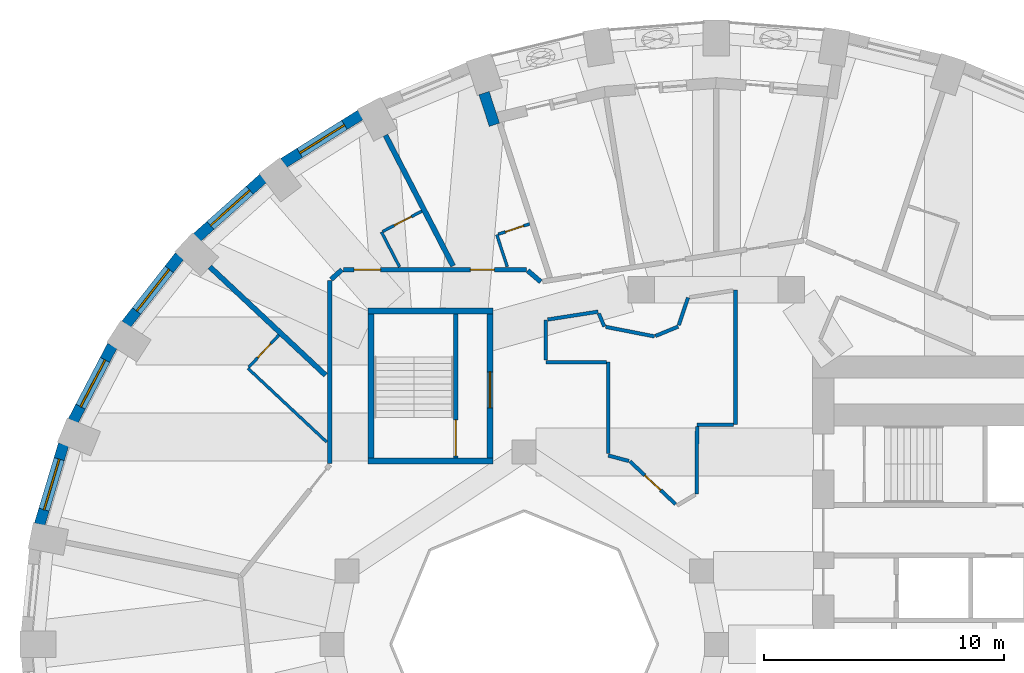
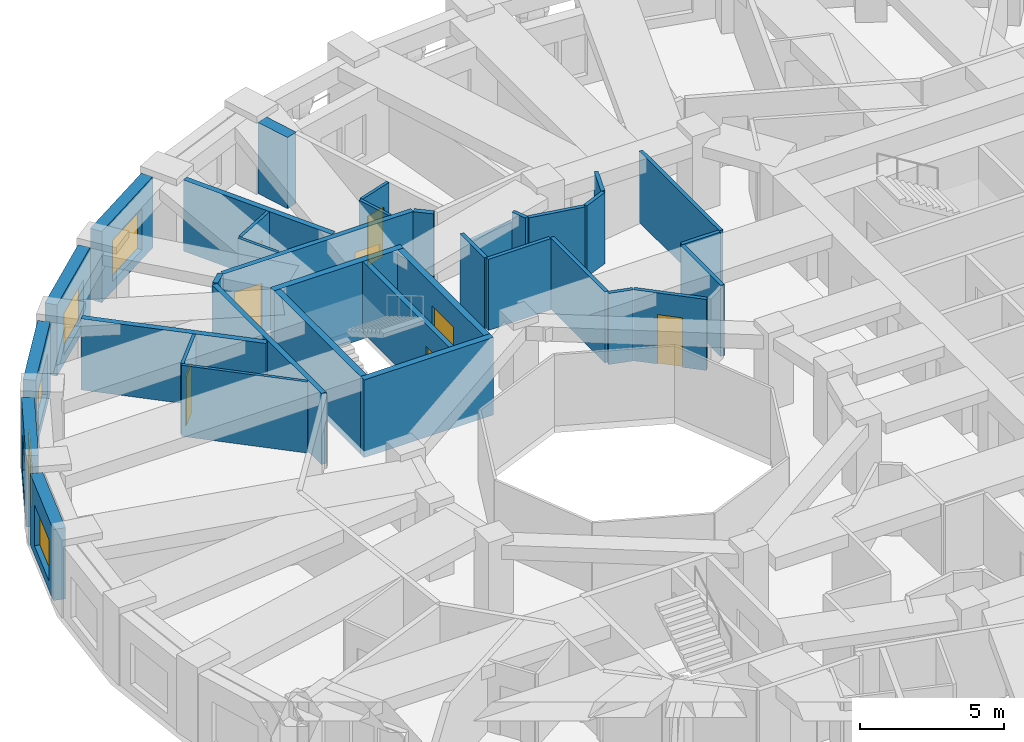
# One storey, part 7 of 13: 36 walls, 8 doors, 5 windows, 13 openings.
"""IFC4 building model written with IfcOpenShell, lengths in metres."""

from ifc_helpers import new_model, si_unit, direction, frame, frame_2d, origin, place, context, subcontext, project, spatial, rectangle, extrude, material, layer, layer_set, type_object, element, fill, save


model = new_model("IFC4")

# Units and contexts
model_context = context("Model", 3, precision=1e-05, world=origin(), true_north=direction((0.0, 1.0)))
body_context = subcontext(model_context, "Body", "Model", "MODEL_VIEW")
ifc_project = project(units=[si_unit("LENGTHUNIT", "METRE"), si_unit("AREAUNIT", "SQUARE_METRE"), si_unit("VOLUMEUNIT", "CUBIC_METRE"), si_unit("PLANEANGLEUNIT", "RADIAN"), si_unit("MASSUNIT", "GRAM", prefix="KILO")], contexts=[model_context])

# Site, building, storey
site_placement = place(None, origin())
site = spatial("IfcSite", under=ifc_project, at=site_placement, CompositionType="ELEMENT")
building_placement = place(site_placement, origin())
building = spatial("IfcBuilding", under=site, at=building_placement, Name="Taillehof Tower", CompositionType="ELEMENT")
storey_placement = place(building_placement, frame((0.0, 0.0, 51.39990234375)))
storey = spatial("IfcBuildingStorey", under=building, at=storey_placement, Name="L13", CompositionType="ELEMENT", Elevation=51.39990234375)

# Wall, opening, window
ifc_material_1 = material(Name="Brick masonry", Category="masonry")
ifc_layer_1 = layer(ifc_material_1, 0.449951171875)
ifc_layer_set_1 = layer_set([ifc_layer_1], Name="Brick infill wall 450")
wall_type_1 = type_object("IfcWallType", Name="Brick infill wall 450", PredefinedType="SOLIDWALL", material=ifc_layer_set_1)
wall_1_placement = place(storey_placement, frame((-14.81689453125, 22.050537109375, 0.0), z_axis=(0.0, 0.0, 1.0), x_axis=(-0.847635480093, -0.530579016629, 0.0)))
wall_1 = element("IfcWall", 1, at=wall_1_placement, inside=storey, type_object=wall_type_1, Name="Brick wall L13 bay 13", PredefinedType="SOLIDWALL", context=body_context, shape_type="SweptSolid", body=[
    extrude(rectangle(XDim=3.782470703125, YDim=0.449951171875, at=frame_2d((1.89111328125, 0.0))), origin(), (0.0, 0.0, 1.0), 3.02001953125),
])
opening_1_placement = place(wall_1_placement, frame((0.791259765625, 0.0, 0.39990234375)))
opening_1 = element("IfcOpeningElement", 2, at=opening_1_placement, cuts=wall_1, Name="Opening W1", PredefinedType="OPENING", context=body_context, shape_type="SweptSolid", body=[
    extrude(rectangle(XDim=2.199951171875, YDim=1.75, at=frame_2d((1.10009765625, 0.875))), frame((0.0, 0.23486328125, 0.0), z_axis=(0.0, -1.0, 0.0), x_axis=(1.0, 0.0, 0.0)), (0.0, 0.0, 1.0), 0.469970703125),
])
ifc_material_2 = material(Name="Aluminium window frame with clear double glazing", Category="aluminium")
window_type = type_object("IfcWindowType", Name="Deep-set window 2200x1750", PartitioningType="SINGLE_PANEL", PredefinedType="WINDOW", material=ifc_material_2)
window_1_placement = place(opening_1_placement, origin())
window_1 = element("IfcWindow", 3, at=window_1_placement, inside=storey, type_object=window_type, Name="W1", OverallHeight=1.75, OverallWidth=2.199951171875, PartitioningType="SINGLE_PANEL", PredefinedType="WINDOW", context=body_context, shape_type="SweptSolid", body=[
    extrude(rectangle(XDim=2.199951171875, YDim=1.75, at=frame_2d((1.10009765625, 0.875))), frame((0.0, 0.034912109375, 0.0), z_axis=(0.0, -1.0, 0.0), x_axis=(1.0, 0.0, 0.0)), (0.0, 0.0, 1.0), 0.06005859375),
])
fill(opening_1, window_1)

wall_2_placement = place(storey_placement, frame((-18.87060546875, 19.406982421875, 0.0), z_axis=(0.0, 0.0, 1.0), x_axis=(-0.745526233716, -0.66647628228, 0.0)))
wall_2 = element("IfcWall", 4, at=wall_2_placement, inside=storey, type_object=wall_type_1, Name="Brick wall L13 bay 14", PredefinedType="SOLIDWALL", context=body_context, shape_type="SweptSolid", body=[
    extrude(rectangle(XDim=3.69677734375, YDim=0.449951171875, at=frame_2d((1.848388671875, 0.0))), origin(), (0.0, 0.0, 1.0), 3.02001953125),
])
opening_2_placement = place(wall_2_placement, frame((0.74853515625, 0.0, 0.39990234375)))
opening_2 = element("IfcOpeningElement", 5, at=opening_2_placement, cuts=wall_2, Name="Opening W1", PredefinedType="OPENING", context=body_context, shape_type="SweptSolid", body=[
    extrude(rectangle(XDim=2.199951171875, YDim=1.75, at=frame_2d((1.10009765625, 0.875))), frame((0.0, 0.23486328125, 0.0), z_axis=(0.0, -1.0, 0.0), x_axis=(1.0, 0.0, 0.0)), (0.0, 0.0, 1.0), 0.469970703125),
])
window_2_placement = place(opening_2_placement, origin())
window_2 = element("IfcWindow", 6, at=window_2_placement, inside=storey, type_object=window_type, Name="W1", OverallHeight=1.75, OverallWidth=2.199951171875, PartitioningType="SINGLE_PANEL", PredefinedType="WINDOW", context=body_context, shape_type="SweptSolid", body=[
    extrude(rectangle(XDim=2.199951171875, YDim=1.75, at=frame_2d((1.10009765625, 0.875))), frame((0.0, 0.034912109375, 0.0), z_axis=(0.0, -1.0, 0.0), x_axis=(1.0, 0.0, 0.0)), (0.0, 0.0, 1.0), 0.06005859375),
])
fill(opening_2, window_2)

wall_3_placement = place(storey_placement, frame((-22.3515625, 16.169677734375, 0.0), z_axis=(0.0, 0.0, 1.0), x_axis=(-0.616661975264, -0.787228053529, 0.0)))
wall_3 = element("IfcWall", 7, at=wall_3_placement, inside=storey, type_object=wall_type_1, Name="Brick wall L13 bay 15", PredefinedType="SOLIDWALL", context=body_context, shape_type="SweptSolid", body=[
    extrude(rectangle(XDim=3.60986328125, YDim=0.449951171875, at=frame_2d((1.804931640625, 0.0))), origin(), (0.0, 0.0, 1.0), 3.02001953125),
])
opening_3_placement = place(wall_3_placement, frame((0.704833984375, 0.0, 0.39990234375)))
opening_3 = element("IfcOpeningElement", 8, at=opening_3_placement, cuts=wall_3, Name="Opening W1", PredefinedType="OPENING", context=body_context, shape_type="SweptSolid", body=[
    extrude(rectangle(XDim=2.199951171875, YDim=1.75, at=frame_2d((1.10009765625, 0.875))), frame((0.0, 0.23486328125, 0.0), z_axis=(0.0, -1.0, 0.0), x_axis=(1.0, 0.0, 0.0)), (0.0, 0.0, 1.0), 0.469970703125),
])
window_3_placement = place(opening_3_placement, origin())
window_3 = element("IfcWindow", 9, at=window_3_placement, inside=storey, type_object=window_type, Name="W1", OverallHeight=1.75, OverallWidth=2.199951171875, PartitioningType="SINGLE_PANEL", PredefinedType="WINDOW", context=body_context, shape_type="SweptSolid", body=[
    extrude(rectangle(XDim=2.199951171875, YDim=1.75, at=frame_2d((1.10009765625, 0.875))), frame((0.0, 0.034912109375, 0.0), z_axis=(0.0, -1.0, 0.0), x_axis=(1.0, 0.0, 0.0)), (0.0, 0.0, 1.0), 0.06005859375),
])
fill(opening_3, window_3)

wall_4_placement = place(storey_placement, frame((-25.152099609375, 12.436767578125, 0.0), z_axis=(0.0, 0.0, 1.0), x_axis=(-0.462492775226, -0.886623050041, 0.0)))
wall_4 = element("IfcWall", 10, at=wall_4_placement, inside=storey, type_object=wall_type_1, Name="Brick wall L13 bay 16", PredefinedType="SOLIDWALL", context=body_context, shape_type="SweptSolid", body=[
    extrude(rectangle(XDim=3.531982421875, YDim=0.449951171875, at=frame_2d((1.76611328125, 0.0))), origin(), (0.0, 0.0, 1.0), 3.02001953125),
])
opening_4_placement = place(wall_4_placement, frame((0.666015625, 0.0, 0.39990234375)))
opening_4 = element("IfcOpeningElement", 11, at=opening_4_placement, cuts=wall_4, Name="Opening W1", PredefinedType="OPENING", context=body_context, shape_type="SweptSolid", body=[
    extrude(rectangle(XDim=2.199951171875, YDim=1.75, at=frame_2d((1.10009765625, 0.875))), frame((0.0, 0.23486328125, 0.0), z_axis=(0.0, -1.0, 0.0), x_axis=(1.0, 0.0, 0.0)), (0.0, 0.0, 1.0), 0.469970703125),
])
window_4_placement = place(opening_4_placement, origin())
window_4 = element("IfcWindow", 12, at=window_4_placement, inside=storey, type_object=window_type, Name="W1", OverallHeight=1.75, OverallWidth=2.199951171875, PartitioningType="SINGLE_PANEL", PredefinedType="WINDOW", context=body_context, shape_type="SweptSolid", body=[
    extrude(rectangle(XDim=2.199951171875, YDim=1.75, at=frame_2d((1.10009765625, 0.875))), frame((0.0, 0.034912109375, 0.0), z_axis=(0.0, -1.0, 0.0), x_axis=(1.0, 0.0, 0.0)), (0.0, 0.0, 1.0), 0.06005859375),
])
fill(opening_4, window_4)

wall_5_placement = place(storey_placement, frame((-27.184814453125, 8.322998046875, 0.0), z_axis=(0.0, 0.0, 1.0), x_axis=(-0.287064133733, -0.957911364963, 0.0)))
wall_5 = element("IfcWall", 13, at=wall_5_placement, inside=storey, type_object=wall_type_1, Name="Brick wall L13 bay 17", PredefinedType="SOLIDWALL", context=body_context, shape_type="SweptSolid", body=[
    extrude(rectangle(XDim=3.473388671875, YDim=0.449951171875, at=frame_2d((1.73681640625, 0.0))), origin(), (0.0, 0.0, 1.0), 3.02001953125),
])
opening_5_placement = place(wall_5_placement, frame((0.63671875, 0.0, 0.39990234375)))
opening_5 = element("IfcOpeningElement", 14, at=opening_5_placement, cuts=wall_5, Name="Opening W1", PredefinedType="OPENING", context=body_context, shape_type="SweptSolid", body=[
    extrude(rectangle(XDim=2.199951171875, YDim=1.75, at=frame_2d((1.10009765625, 0.875))), frame((0.0, 0.23486328125, 0.0), z_axis=(0.0, -1.0, 0.0), x_axis=(1.0, 0.0, 0.0)), (0.0, 0.0, 1.0), 0.469970703125),
])
window_5_placement = place(opening_5_placement, origin())
window_5 = element("IfcWindow", 15, at=window_5_placement, inside=storey, type_object=window_type, Name="W1", OverallHeight=1.75, OverallWidth=2.199951171875, PartitioningType="SINGLE_PANEL", PredefinedType="WINDOW", context=body_context, shape_type="SweptSolid", body=[
    extrude(rectangle(XDim=2.199951171875, YDim=1.75, at=frame_2d((1.10009765625, 0.875))), frame((0.0, 0.034912109375, 0.0), z_axis=(0.0, -1.0, 0.0), x_axis=(1.0, 0.0, 0.0)), (0.0, 0.0, 1.0), 0.06005859375),
])
fill(opening_5, window_5)

# Walls
wall_6_placement = place(storey_placement, frame((-9.673583984375, 22.95556640625, 0.0), z_axis=(0.0, 0.0, 1.0), x_axis=(0.310269011655, -0.950648799719, 0.0)))
element("IfcWall", 16, at=wall_6_placement, inside=storey, type_object=wall_type_1, Name="Brick reveal L13 pocket 2", PredefinedType="SOLIDWALL", context=body_context, shape_type="SweptSolid", body=[
    extrude(rectangle(XDim=1.390380859375, YDim=0.449951171875, at=frame_2d((0.6953125, 0.0))), origin(), (0.0, 0.0, 1.0), 3.02001953125),
])
ifc_material_3 = material(Name="Gypsum board on steel studs, two layers each side", Category="steel")
ifc_layer_2 = layer(ifc_material_3, 0.199951171875)
ifc_layer_set_2 = layer_set([ifc_layer_2], Name="Compartment wall corridor 200")
wall_type_2 = type_object("IfcWallType", Name="Compartment wall corridor 200", PredefinedType="PARTITIONING", material=ifc_layer_set_2)
wall_7_placement = place(storey_placement, frame((-16.10009765625, 7.53271484375, 0.0), z_axis=(0.0, 0.0, 1.0), x_axis=(0.0, 1.0, 0.0)))
element("IfcWall", 17, at=wall_7_placement, inside=storey, type_object=wall_type_2, Name="Compartment wall", PredefinedType="PARTITIONING", context=body_context, shape_type="SweptSolid", body=[
    extrude(rectangle(XDim=7.611328125, YDim=0.199951171875, at=frame_2d((3.8056640625, 0.0))), origin(), (0.0, 0.0, 1.0), 3.02001953125),
])
wall_8_placement = place(storey_placement, frame((-16.04052734375, 15.19775390625, 0.0), z_axis=(0.0, 0.0, 1.0), x_axis=(0.744722115519, 0.667374685359, 0.0)))
element("IfcWall", 18, at=wall_8_placement, inside=storey, type_object=wall_type_2, Name="Compartment wall", PredefinedType="PARTITIONING", context=body_context, shape_type="SweptSolid", body=[
    extrude(rectangle(XDim=0.602783203125, YDim=0.199951171875, at=frame_2d((0.30126953125, 0.0))), origin(), (0.0, 0.0, 1.0), 3.02001953125),
])

# Wall, openings, doors
wall_9_placement = place(storey_placement, frame((-15.531494140625, 15.60009765625, 0.0), z_axis=(0.0, 0.0, 1.0), x_axis=(1.0, 0.0, 0.0)))
wall_9 = element("IfcWall", 19, at=wall_9_placement, inside=storey, type_object=wall_type_2, Name="Compartment wall", PredefinedType="PARTITIONING", context=body_context, shape_type="SweptSolid", body=[
    extrude(rectangle(XDim=7.631591796875, YDim=0.199951171875, at=frame_2d((3.81591796875, 0.0))), origin(), (0.0, 0.0, 1.0), 3.02001953125),
])
opening_6_placement = place(wall_9_placement, frame((5.283447265625, 0.0, 0.0)))
opening_6 = element("IfcOpeningElement", 20, at=opening_6_placement, cuts=wall_9, Name="Opening D1346", PredefinedType="OPENING", context=body_context, shape_type="SweptSolid", body=[
    extrude(rectangle(XDim=1.0, YDim=2.10009765625, at=frame_2d((0.5, 1.050048828125))), frame((0.0, 0.10986328125, 0.0), z_axis=(0.0, -1.0, 0.0), x_axis=(1.0, 0.0, 0.0)), (0.0, 0.0, 1.0), 0.219970703125),
])
opening_7_placement = place(wall_9_placement, frame((0.451416015625, 0.0, 0.0)))
opening_7 = element("IfcOpeningElement", 21, at=opening_7_placement, cuts=wall_9, Name="Opening D1348", PredefinedType="OPENING", context=body_context, shape_type="SweptSolid", body=[
    extrude(rectangle(XDim=1.10009765625, YDim=2.10009765625, at=frame_2d((0.550048828125, 1.050048828125))), frame((0.0, 0.10986328125, 0.0), z_axis=(0.0, -1.0, 0.0), x_axis=(1.0, 0.0, 0.0)), (0.0, 0.0, 1.0), 0.219970703125),
])
ifc_material_4 = material(Name="Timber door leaf in steel frame", Category="steel")
door_type_1 = type_object("IfcDoorType", Name="Guest room door EI 30 1000 x 2100", OperationType="SINGLE_SWING_LEFT", PredefinedType="DOOR", material=ifc_material_4)
door_1_placement = place(opening_6_placement, origin())
door_1 = element("IfcDoor", 22, at=door_1_placement, inside=storey, type_object=door_type_1, Name="D1346", OperationType="SINGLE_SWING_RIGHT", OverallHeight=2.10009765625, OverallWidth=1.0, PredefinedType="DOOR", context=body_context, shape_type="SweptSolid", body=[
    extrude(rectangle(XDim=1.0, YDim=2.10009765625, at=frame_2d((0.5, 1.050048828125))), frame((0.0, 0.02490234375, 0.0), z_axis=(0.0, -1.0, 0.0), x_axis=(1.0, 0.0, 0.0)), (0.0, 0.0, 1.0), 0.050048828125),
])
fill(opening_6, door_1)
ifc_material_5 = material(Name="Timber door leaf in steel frame", Category="steel")
door_type_2 = type_object("IfcDoorType", Name="Suite entrance door EI 30 1100 x 2100", OperationType="SINGLE_SWING_LEFT", PredefinedType="DOOR", material=ifc_material_5)
door_2_placement = place(opening_7_placement, origin())
door_2 = element("IfcDoor", 23, at=door_2_placement, inside=storey, type_object=door_type_2, Name="D1348", OperationType="SINGLE_SWING_RIGHT", OverallHeight=2.10009765625, OverallWidth=1.10009765625, PredefinedType="DOOR", context=body_context, shape_type="SweptSolid", body=[
    extrude(rectangle(XDim=1.10009765625, YDim=2.10009765625, at=frame_2d((0.550048828125, 1.050048828125))), frame((0.0, 0.02490234375, 0.0), z_axis=(0.0, -1.0, 0.0), x_axis=(1.0, 0.0, 0.0)), (0.0, 0.0, 1.0), 0.050048828125),
])
fill(opening_7, door_2)

# Walls
wall_10_placement = place(storey_placement, frame((-7.8544921875, 15.561279296875, 0.0), z_axis=(0.0, 0.0, 1.0), x_axis=(0.759763914627, -0.650199041856, 0.0)))
element("IfcWall", 24, at=wall_10_placement, inside=storey, type_object=wall_type_2, Name="Compartment wall", PredefinedType="PARTITIONING", context=body_context, shape_type="SweptSolid", body=[
    extrude(rectangle(XDim=0.713134765625, YDim=0.199951171875, at=frame_2d((0.3564453125, 0.0))), origin(), (0.0, 0.0, 1.0), 3.02001953125),
])
ifc_material_6 = material(Name="Gypsum board on double steel studs with mineral wool", Category="steel")
ifc_layer_3 = layer(ifc_material_6, 0.219970703125)
ifc_layer_set_3 = layer_set([ifc_layer_3], Name="Compartment wall guest room 220")
wall_type_3 = type_object("IfcWallType", Name="Compartment wall guest room 220", PredefinedType="PARTITIONING", material=ifc_layer_set_3)
wall_11_placement = place(storey_placement, frame((-13.7802734375, 21.201171875, 0.0), z_axis=(0.0, 0.0, 1.0), x_axis=(0.459699000582, -0.888074787878, 0.0)))
element("IfcWall", 25, at=wall_11_placement, inside=storey, type_object=wall_type_3, Name="Compartment wall", PredefinedType="PARTITIONING", context=body_context, shape_type="SweptSolid", body=[
    extrude(rectangle(XDim=6.134033203125, YDim=0.219970703125, at=frame_2d((3.06689453125, 0.0))), origin(), (0.0, 0.0, 1.0), 3.02001953125),
])
wall_12_placement = place(storey_placement, frame((-21.09326171875, 15.7177734375, 0.0), z_axis=(0.0, 0.0, 1.0), x_axis=(0.73009284205, -0.683347965525, 0.0)))
element("IfcWall", 26, at=wall_12_placement, inside=storey, type_object=wall_type_3, Name="Compartment wall", PredefinedType="PARTITIONING", context=body_context, shape_type="SweptSolid", body=[
    extrude(rectangle(XDim=6.6015625, YDim=0.219970703125, at=frame_2d((3.30078125, 0.0))), origin(), (0.0, 0.0, 1.0), 3.02001953125),
])
ifc_material_7 = material(Name="Gypsum board on steel studs, two layers each side", Category="steel")
ifc_layer_4 = layer(ifc_material_7, 0.14990234375)
ifc_layer_set_4 = layer_set([ifc_layer_4], Name="Compartment wall service room 150")
wall_type_4 = type_object("IfcWallType", Name="Compartment wall service room 150", PredefinedType="PARTITIONING", material=ifc_layer_set_4)
wall_13_placement = place(storey_placement, frame((0.800048828125, 14.748779296875, 0.0), z_axis=(0.0, 0.0, 1.0), x_axis=(0.0, -1.0, 0.0)))
element("IfcWall", 27, at=wall_13_placement, inside=storey, type_object=wall_type_4, Name="Compartment wall", PredefinedType="PARTITIONING", context=body_context, shape_type="SweptSolid", body=[
    extrude(rectangle(XDim=5.598876953125, YDim=0.14990234375, at=frame_2d((2.79931640625, 0.0))), origin(), (0.0, 0.0, 1.0), 3.02001953125),
])
wall_14_placement = place(storey_placement, frame((0.719970703125, 9.14990234375, 0.0), z_axis=(0.0, 0.0, 1.0), x_axis=(-1.0, 0.0, 0.0)))
element("IfcWall", 28, at=wall_14_placement, inside=storey, type_object=wall_type_4, Name="Compartment wall", PredefinedType="PARTITIONING", context=body_context, shape_type="SweptSolid", body=[
    extrude(rectangle(XDim=1.52001953125, YDim=0.14990234375, at=frame_2d((0.760009765625, 0.0))), origin(), (0.0, 0.0, 1.0), 3.02001953125),
])
wall_15_placement = place(storey_placement, frame((-0.801025390625, 9.06982421875, 0.0), z_axis=(0.0, 0.0, 1.0), x_axis=(-0.007572902619, -0.999971325162, 0.0)))
element("IfcWall", 29, at=wall_15_placement, inside=storey, type_object=wall_type_4, Name="Compartment wall", PredefinedType="PARTITIONING", context=body_context, shape_type="SweptSolid", body=[
    extrude(rectangle(XDim=2.8046875, YDim=0.14990234375, at=frame_2d((1.40234375, 0.0))), origin(), (0.0, 0.0, 1.0), 3.02001953125),
])

# Wall, opening, door
wall_16_placement = place(storey_placement, frame((-1.6943359375, 5.832275390625, 0.0), z_axis=(0.0, 0.0, 1.0), x_axis=(-0.729170056034, 0.684332542981, 0.0)))
wall_16 = element("IfcWall", 30, at=wall_16_placement, inside=storey, type_object=wall_type_4, Name="Compartment wall", PredefinedType="PARTITIONING", context=body_context, shape_type="SweptSolid", body=[
    extrude(rectangle(XDim=2.613525390625, YDim=0.14990234375, at=frame_2d((1.306640625, 0.0))), origin(), (0.0, 0.0, 1.0), 3.02001953125),
])
opening_8_placement = place(wall_16_placement, frame((0.856689453125, 0.0, 0.0)))
opening_8 = element("IfcOpeningElement", 31, at=opening_8_placement, cuts=wall_16, Name="Opening D1368", PredefinedType="OPENING", context=body_context, shape_type="SweptSolid", body=[
    extrude(rectangle(XDim=0.89990234375, YDim=2.10009765625, at=frame_2d((0.449951171875, 1.050048828125))), frame((0.0, 0.0849609375, 0.0), z_axis=(0.0, -1.0, 0.0), x_axis=(1.0, 0.0, 0.0)), (0.0, 0.0, 1.0), 0.169921875),
])
ifc_material_8 = material(Name="Timber door leaf in steel frame", Category="steel")
door_type_3 = type_object("IfcDoorType", Name="Service room door EI 30 900 x 2100", OperationType="SINGLE_SWING_LEFT", PredefinedType="DOOR", material=ifc_material_8)
door_3_placement = place(opening_8_placement, origin())
door_3 = element("IfcDoor", 32, at=door_3_placement, inside=storey, type_object=door_type_3, Name="D1368", OperationType="SINGLE_SWING_RIGHT", OverallHeight=2.10009765625, OverallWidth=0.89990234375, PredefinedType="DOOR", context=body_context, shape_type="SweptSolid", body=[
    extrude(rectangle(XDim=0.89990234375, YDim=2.10009765625, at=frame_2d((0.449951171875, 1.050048828125))), frame((0.0, 0.02490234375, 0.0), z_axis=(0.0, -1.0, 0.0), x_axis=(1.0, 0.0, 0.0)), (0.0, 0.0, 1.0), 0.050048828125),
])
fill(opening_8, door_3)

# Walls
wall_17_placement = place(storey_placement, frame((-3.638671875, 7.631103515625, 0.0), z_axis=(0.0, 0.0, 1.0), x_axis=(-0.965879594242, 0.258991523853, 0.0)))
element("IfcWall", 33, at=wall_17_placement, inside=storey, type_object=wall_type_4, Name="Compartment wall", PredefinedType="PARTITIONING", context=body_context, shape_type="SweptSolid", body=[
    extrude(rectangle(XDim=0.891845703125, YDim=0.14990234375, at=frame_2d((0.44580078125, 0.0))), origin(), (0.0, 0.0, 1.0), 3.02001953125),
])
wall_18_placement = place(storey_placement, frame((-4.5, 7.942138671875, 0.0), z_axis=(0.0, 0.0, 1.0), x_axis=(0.0, 1.0, 0.0)))
element("IfcWall", 34, at=wall_18_placement, inside=storey, type_object=wall_type_4, Name="Compartment wall", PredefinedType="PARTITIONING", context=body_context, shape_type="SweptSolid", body=[
    extrude(rectangle(XDim=3.807861328125, YDim=0.14990234375, at=frame_2d((1.90380859375, 0.0))), origin(), (0.0, 0.0, 1.0), 3.02001953125),
])
wall_19_placement = place(storey_placement, frame((-4.580078125, 11.75, 0.0), z_axis=(0.0, 0.0, 1.0), x_axis=(-1.0, 0.0, 0.0)))
element("IfcWall", 35, at=wall_19_placement, inside=storey, type_object=wall_type_4, Name="Compartment wall", PredefinedType="PARTITIONING", context=body_context, shape_type="SweptSolid", body=[
    extrude(rectangle(XDim=2.52001953125, YDim=0.14990234375, at=frame_2d((1.260009765625, 0.0))), origin(), (0.0, 0.0, 1.0), 3.02001953125),
])
wall_20_placement = place(storey_placement, frame((-7.10009765625, 11.830078125, 0.0), z_axis=(0.0, 0.0, 1.0), x_axis=(0.0, 1.0, 0.0)))
element("IfcWall", 36, at=wall_20_placement, inside=storey, type_object=wall_type_4, Name="Compartment wall", PredefinedType="PARTITIONING", context=body_context, shape_type="SweptSolid", body=[
    extrude(rectangle(XDim=1.681396484375, YDim=0.14990234375, at=frame_2d((0.8408203125, 0.0))), origin(), (0.0, 0.0, 1.0), 3.02001953125),
])
wall_21_placement = place(storey_placement, frame((-7.02099609375, 13.524169921875, 0.0), z_axis=(0.0, 0.0, 1.0), x_axis=(0.987976394461, 0.154604799366, 0.0)))
element("IfcWall", 37, at=wall_21_placement, inside=storey, type_object=wall_type_4, Name="Compartment wall", PredefinedType="PARTITIONING", context=body_context, shape_type="SweptSolid", body=[
    extrude(rectangle(XDim=2.1240234375, YDim=0.14990234375, at=frame_2d((1.06201171875, 0.0))), origin(), (0.0, 0.0, 1.0), 2.570068359375),
])
wall_22_placement = place(storey_placement, frame((-4.892333984375, 13.7783203125, 0.0), z_axis=(0.0, 0.0, 1.0), x_axis=(0.383178293395, -0.923674399056, 0.0)))
element("IfcWall", 38, at=wall_22_placement, inside=storey, type_object=wall_type_4, Name="Compartment wall", PredefinedType="PARTITIONING", context=body_context, shape_type="SweptSolid", body=[
    extrude(rectangle(XDim=0.59130859375, YDim=0.14990234375, at=frame_2d((0.295654296875, 0.0))), origin(), (0.0, 0.0, 1.0), 3.02001953125),
])
wall_23_placement = place(storey_placement, frame((-4.607177734375, 13.220458984375, 0.0), z_axis=(0.0, 0.0, 1.0), x_axis=(0.981304142817, -0.192463449234, 0.0)))
element("IfcWall", 39, at=wall_23_placement, inside=storey, type_object=wall_type_4, Name="Compartment wall", PredefinedType="PARTITIONING", context=body_context, shape_type="SweptSolid", body=[
    extrude(rectangle(XDim=2.0703125, YDim=0.14990234375, at=frame_2d((1.03515625, 0.0))), origin(), (0.0, 0.0, 1.0), 3.02001953125),
])
wall_24_placement = place(storey_placement, frame((-2.53857421875, 12.837158203125, 0.0), z_axis=(0.0, 0.0, 1.0), x_axis=(0.923768662954, 0.382950985565, 0.0)))
element("IfcWall", 40, at=wall_24_placement, inside=storey, type_object=wall_type_4, Name="Compartment wall", PredefinedType="PARTITIONING", context=body_context, shape_type="SweptSolid", body=[
    extrude(rectangle(XDim=1.031494140625, YDim=0.14990234375, at=frame_2d((0.515625, 0.0))), origin(), (0.0, 0.0, 1.0), 3.02001953125),
])
wall_25_placement = place(storey_placement, frame((-1.566650390625, 13.289306640625, 0.0), z_axis=(0.0, 0.0, 1.0), x_axis=(0.321769415776, 0.946818062286, 0.0)))
element("IfcWall", 41, at=wall_25_placement, inside=storey, type_object=wall_type_4, Name="Compartment wall", PredefinedType="PARTITIONING", context=body_context, shape_type="SweptSolid", body=[
    extrude(rectangle(XDim=1.21484375, YDim=0.14990234375, at=frame_2d((0.607421875, 0.0))), origin(), (0.0, 0.0, 1.0), 3.02001953125),
])
ifc_material_9 = material(Name="Gypsum board on steel studs, moisture resistant", Category="steel")
ifc_layer_5 = layer(ifc_material_9, 0.1201171875)
ifc_layer_set_5 = layer_set([ifc_layer_5], Name="En-suite wall 120")
wall_type_5 = type_object("IfcWallType", Name="En-suite wall 120", PredefinedType="PARTITIONING", material=ifc_layer_set_5)
wall_26_placement = place(storey_placement, frame((-8.705810546875, 15.71923828125, 0.0), z_axis=(0.0, 0.0, 1.0), x_axis=(-0.310245242974, 0.950656556918, 0.0)))
element("IfcWall", 42, at=wall_26_placement, inside=storey, type_object=wall_type_5, Name="En-suite wall", PredefinedType="PARTITIONING", context=body_context, shape_type="SweptSolid", body=[
    extrude(rectangle(XDim=1.409423828125, YDim=0.1201171875, at=frame_2d((0.70458984375, 0.0))), origin(), (0.0, 0.0, 1.0), 3.02001953125),
])
wall_27_placement = place(storey_placement, frame((-13.194091796875, 15.718017578125, 0.0), z_axis=(0.0, 0.0, 1.0), x_axis=(-0.459736274936, 0.888055492359, 0.0)))
element("IfcWall", 43, at=wall_27_placement, inside=storey, type_object=wall_type_5, Name="En-suite wall", PredefinedType="PARTITIONING", context=body_context, shape_type="SweptSolid", body=[
    extrude(rectangle(XDim=1.6318359375, YDim=0.1201171875, at=frame_2d((0.81591796875, 0.0))), origin(), (0.0, 0.0, 1.0), 3.02001953125),
])
wall_28_placement = place(storey_placement, frame((-16.2294921875, 8.42626953125, 0.0), z_axis=(0.0, 0.0, 1.0), x_axis=(-0.730077325201, 0.683364543438, 0.0)))
element("IfcWall", 44, at=wall_28_placement, inside=storey, type_object=wall_type_5, Name="En-suite wall", PredefinedType="PARTITIONING", context=body_context, shape_type="SweptSolid", body=[
    extrude(rectangle(XDim=4.49462890625, YDim=0.1201171875, at=frame_2d((2.247314453125, 0.0))), origin(), (0.0, 0.0, 1.0), 3.02001953125),
])

# Wall, opening, door
wall_29_placement = place(storey_placement, frame((-9.0859375, 17.077392578125, 0.0), z_axis=(0.0, 0.0, 1.0), x_axis=(0.950576687533, 0.310489872812, 0.0)))
wall_29 = element("IfcWall", 45, at=wall_29_placement, inside=storey, type_object=wall_type_5, Name="En-suite wall", PredefinedType="PARTITIONING", context=body_context, shape_type="SweptSolid", body=[
    extrude(rectangle(XDim=1.3798828125, YDim=0.1201171875, at=frame_2d((0.68994140625, 0.0))), origin(), (0.0, 0.0, 1.0), 3.02001953125),
])
opening_9_placement = place(wall_29_placement, frame((0.31494140625, 0.0, 0.0)))
opening_9 = element("IfcOpeningElement", 46, at=opening_9_placement, cuts=wall_29, Name="Opening D1347", PredefinedType="OPENING", context=body_context, shape_type="SweptSolid", body=[
    extrude(rectangle(XDim=0.800048828125, YDim=2.10009765625, at=frame_2d((0.39990234375, 1.050048828125))), frame((0.0, 0.070068359375, 0.0), z_axis=(0.0, -1.0, 0.0), x_axis=(1.0, 0.0, 0.0)), (0.0, 0.0, 1.0), 0.14013671875),
])
ifc_material_10 = material(Name="Timber door leaf in steel frame", Category="steel")
door_type_4 = type_object("IfcDoorType", Name="En-suite door 800 x 2100", OperationType="SINGLE_SWING_LEFT", PredefinedType="DOOR", material=ifc_material_10)
door_4_placement = place(opening_9_placement, origin())
door_4 = element("IfcDoor", 47, at=door_4_placement, inside=storey, type_object=door_type_4, Name="D1347", OperationType="SINGLE_SWING_RIGHT", OverallHeight=2.10009765625, OverallWidth=0.800048828125, PredefinedType="DOOR", context=body_context, shape_type="SweptSolid", body=[
    extrude(rectangle(XDim=0.800048828125, YDim=2.10009765625, at=frame_2d((0.39990234375, 1.050048828125))), frame((0.0, 0.02490234375, 0.0), z_axis=(0.0, -1.0, 0.0), x_axis=(1.0, 0.0, 0.0)), (0.0, 0.0, 1.0), 0.050048828125),
])
fill(opening_9, door_4)

wall_30_placement = place(storey_placement, frame((-13.89111328125, 17.19482421875, 0.0), z_axis=(0.0, 0.0, 1.0), x_axis=(0.88806930088, 0.459709600546, 0.0)))
wall_30 = element("IfcWall", 48, at=wall_30_placement, inside=storey, type_object=wall_type_5, Name="En-suite wall", PredefinedType="PARTITIONING", context=body_context, shape_type="SweptSolid", body=[
    extrude(rectangle(XDim=1.830078125, YDim=0.1201171875, at=frame_2d((0.9150390625, 0.0))), origin(), (0.0, 0.0, 1.0), 3.02001953125),
])
opening_10_placement = place(wall_30_placement, frame((0.5400390625, 0.0, 0.0)))
opening_10 = element("IfcOpeningElement", 49, at=opening_10_placement, cuts=wall_30, Name="Opening D1349", PredefinedType="OPENING", context=body_context, shape_type="SweptSolid", body=[
    extrude(rectangle(XDim=0.800048828125, YDim=2.10009765625, at=frame_2d((0.39990234375, 1.050048828125))), frame((0.0, 0.070068359375, 0.0), z_axis=(0.0, -1.0, 0.0), x_axis=(1.0, 0.0, 0.0)), (0.0, 0.0, 1.0), 0.14013671875),
])
door_5_placement = place(opening_10_placement, origin())
door_5 = element("IfcDoor", 50, at=door_5_placement, inside=storey, type_object=door_type_4, Name="D1349", OperationType="SINGLE_SWING_RIGHT", OverallHeight=2.10009765625, OverallWidth=0.800048828125, PredefinedType="DOOR", context=body_context, shape_type="SweptSolid", body=[
    extrude(rectangle(XDim=0.800048828125, YDim=2.10009765625, at=frame_2d((0.39990234375, 1.050048828125))), frame((0.0, 0.02490234375, 0.0), z_axis=(0.0, -1.0, 0.0), x_axis=(1.0, 0.0, 0.0)), (0.0, 0.0, 1.0), 0.050048828125),
])
fill(opening_10, door_5)

wall_31_placement = place(storey_placement, frame((-19.469970703125, 11.54150390625, 0.0), z_axis=(0.0, 0.0, 1.0), x_axis=(0.683306289544, 0.730131847456, 0.0)))
wall_31 = element("IfcWall", 51, at=wall_31_placement, inside=storey, type_object=wall_type_5, Name="En-suite wall", PredefinedType="PARTITIONING", context=body_context, shape_type="SweptSolid", body=[
    extrude(rectangle(XDim=1.830078125, YDim=0.1201171875, at=frame_2d((0.9150390625, 0.0))), origin(), (0.0, 0.0, 1.0), 3.02001953125),
])
opening_11_placement = place(wall_31_placement, frame((0.5400390625, 0.0, 0.0)))
opening_11 = element("IfcOpeningElement", 52, at=opening_11_placement, cuts=wall_31, Name="Opening D1351", PredefinedType="OPENING", context=body_context, shape_type="SweptSolid", body=[
    extrude(rectangle(XDim=0.800048828125, YDim=2.10009765625, at=frame_2d((0.39990234375, 1.050048828125))), frame((0.0, 0.070068359375, 0.0), z_axis=(0.0, -1.0, 0.0), x_axis=(1.0, 0.0, 0.0)), (0.0, 0.0, 1.0), 0.14013671875),
])
door_6_placement = place(opening_11_placement, origin())
door_6 = element("IfcDoor", 53, at=door_6_placement, inside=storey, type_object=door_type_4, Name="D1351", OperationType="SINGLE_SWING_RIGHT", OverallHeight=2.10009765625, OverallWidth=0.800048828125, PredefinedType="DOOR", context=body_context, shape_type="SweptSolid", body=[
    extrude(rectangle(XDim=0.800048828125, YDim=2.10009765625, at=frame_2d((0.39990234375, 1.050048828125))), frame((0.0, 0.02490234375, 0.0), z_axis=(0.0, -1.0, 0.0), x_axis=(1.0, 0.0, 0.0)), (0.0, 0.0, 1.0), 0.050048828125),
])
fill(opening_11, door_6)

ifc_material_11 = material(Name="Concrete C50/60", Category="concrete")
ifc_layer_6 = layer(ifc_material_11, 0.199951171875)
ifc_layer_set_6 = layer_set([ifc_layer_6], Name="Shaft wall C50/60 200")
wall_type_6 = type_object("IfcWallType", Name="Shaft wall C50/60 200", PredefinedType="SHEAR", material=ifc_layer_set_6)
wall_32_placement = place(storey_placement, frame((-10.85009765625, 7.75, 0.0), z_axis=(0.0, 0.0, 1.0), x_axis=(0.0, 1.0, 0.0)))
wall_32 = element("IfcWall", 54, at=wall_32_placement, inside=storey, type_object=wall_type_6, Name="Shaft wall SW", PredefinedType="SHEAR", context=body_context, shape_type="SweptSolid", body=[
    extrude(rectangle(XDim=6.0, YDim=0.199951171875, at=frame_2d((3.0, 0.0))), origin(), (0.0, 0.0, 1.0), 3.02001953125),
])
opening_12_placement = place(wall_32_placement, frame((0.10009765625, 0.0, 0.0)))
opening_12 = element("IfcOpeningElement", 55, at=opening_12_placement, cuts=wall_32, Name="Opening D1312", PredefinedType="OPENING", context=body_context, shape_type="SweptSolid", body=[
    extrude(rectangle(XDim=1.5, YDim=2.10009765625, at=frame_2d((0.75, 1.050048828125))), frame((0.0, 0.10986328125, 0.0), z_axis=(0.0, -1.0, 0.0), x_axis=(1.0, 0.0, 0.0)), (0.0, 0.0, 1.0), 0.219970703125),
])
ifc_material_12 = material(Name="Steel-faced fire door", Category="steel")
door_type_5 = type_object("IfcDoorType", Name="Stair door 1500x2100", OperationType="DOUBLE_DOOR_SINGLE_SWING", PredefinedType="DOOR", material=ifc_material_12)
door_7_placement = place(opening_12_placement, origin())
door_7 = element("IfcDoor", 56, at=door_7_placement, inside=storey, type_object=door_type_5, Name="Stair lobby door S3", OperationType="DOUBLE_DOOR_SINGLE_SWING", OverallHeight=2.10009765625, OverallWidth=1.5, PredefinedType="DOOR", context=body_context, shape_type="SweptSolid", body=[
    extrude(rectangle(XDim=1.5, YDim=2.10009765625, at=frame_2d((0.75, 1.050048828125))), frame((0.0, 0.02490234375, 0.0), z_axis=(0.0, -1.0, 0.0), x_axis=(1.0, 0.0, 0.0)), (0.0, 0.0, 1.0), 0.050048828125),
])
fill(opening_12, door_7)

# Wall
ifc_material_13 = material(Name="Concrete C50/60", Category="concrete")
ifc_layer_7 = layer(ifc_material_13, 0.25)
ifc_layer_set_7 = layer_set([ifc_layer_7], Name="Stair wall C50/60 250")
wall_type_7 = type_object("IfcWallType", Name="Stair wall C50/60 250", PredefinedType="SHEAR", material=ifc_layer_set_7)
wall_33_placement = place(storey_placement, frame((-14.375, 7.75, -0.27978515625), z_axis=(0.0, 0.0, 1.0), x_axis=(0.0, 1.0, 0.0)))
element("IfcWall", 57, at=wall_33_placement, inside=storey, type_object=wall_type_7, Name="Stair wall SC", PredefinedType="SHEAR", context=body_context, shape_type="SweptSolid", body=[
    extrude(rectangle(XDim=6.0, YDim=0.25, at=frame_2d((3.0, 0.0))), origin(), (0.0, 0.0, 1.0), 3.2998046875),
])

# Wall, opening, door
wall_34_placement = place(storey_placement, frame((-9.425048828125, 7.75, -0.27978515625), z_axis=(0.0, 0.0, 1.0), x_axis=(0.0, 1.0, 0.0)))
wall_34 = element("IfcWall", 58, at=wall_34_placement, inside=storey, type_object=wall_type_7, Name="Stair wall SC", PredefinedType="SHEAR", context=body_context, shape_type="SweptSolid", body=[
    extrude(rectangle(XDim=6.0, YDim=0.25, at=frame_2d((3.0, 0.0))), origin(), (0.0, 0.0, 1.0), 3.2998046875),
])
opening_13_placement = place(wall_34_placement, frame((2.10009765625, 0.0, 0.280029296875)))
opening_13 = element("IfcOpeningElement", 59, at=opening_13_placement, cuts=wall_34, Name="Opening D1319", PredefinedType="OPENING", context=body_context, shape_type="SweptSolid", body=[
    extrude(rectangle(XDim=1.5, YDim=2.10009765625, at=frame_2d((0.75, 1.050048828125))), frame((0.0, 0.135009765625, 0.0), z_axis=(0.0, -1.0, 0.0), x_axis=(1.0, 0.0, 0.0)), (0.0, 0.0, 1.0), 0.27001953125),
])
door_8_placement = place(opening_13_placement, origin())
door_8 = element("IfcDoor", 60, at=door_8_placement, inside=storey, type_object=door_type_5, Name="Stair door S3", OperationType="DOUBLE_DOOR_SINGLE_SWING", OverallHeight=2.10009765625, OverallWidth=1.5, PredefinedType="DOOR", context=body_context, shape_type="SweptSolid", body=[
    extrude(rectangle(XDim=1.5, YDim=2.10009765625, at=frame_2d((0.75, 1.050048828125))), frame((0.0, 0.02490234375, 0.0), z_axis=(0.0, -1.0, 0.0), x_axis=(1.0, 0.0, 0.0)), (0.0, 0.0, 1.0), 0.050048828125),
])
fill(opening_13, door_8)

# Walls
for number, where, z_axis, x_axis, name in (
    (61, (-14.5, 13.875, -0.27978515625), (0.0, 0.0, 1.0), (1.0, 0.0, 0.0), "Stair wall SC"),
    (62, (-14.5, 7.625, -0.27978515625), (0.0, 0.0, 1.0), (1.0, 0.0, 0.0), "Stair wall SC"),
):
    element("IfcWall", number, at=place(storey_placement, frame(where, z_axis=z_axis, x_axis=x_axis)), inside=storey, type_object=wall_type_7, Name=name, PredefinedType="SHEAR", context=body_context, shape_type="SweptSolid", body=[
        extrude(rectangle(XDim=5.199951171875, YDim=0.25, at=frame_2d((2.60009765625, 0.0))), origin(), (0.0, 0.0, 1.0), 3.2998046875),
    ])

save(model, "model.ifc")
